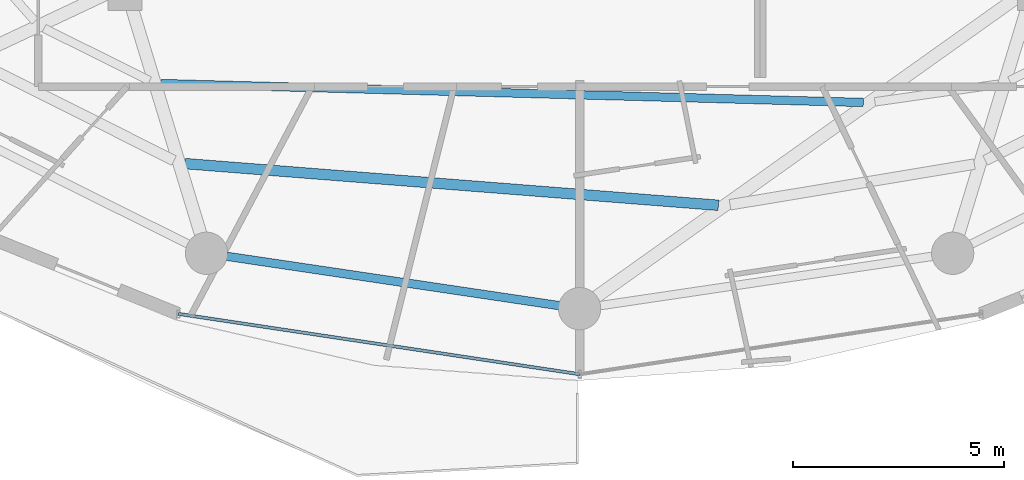
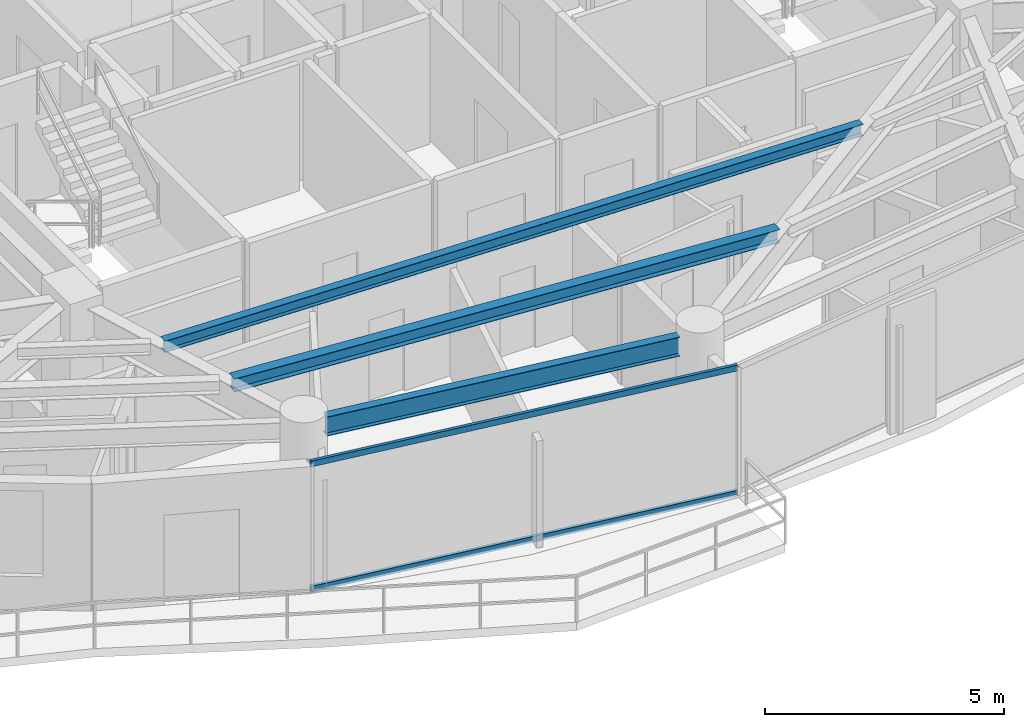
# One storey, part 4 of 28: 3 beams, 2 members, 1 element without a shape of its own.
"""IFC4 building model written with IfcOpenShell, lengths in metres."""

from ifc_helpers import new_model, si_unit, direction, frame, origin, origin_2d, place, context, subcontext, project, spatial, hollow_rectangle, i_section, extrude, material, material_profile, profile_set, type_object, element, aggregate, save


model = new_model("IFC4")

# Units and contexts
model_context = context("Model", 3, precision=1e-05, world=origin(), true_north=direction((0.0, 1.0)))
body_context = subcontext(model_context, "Body", "Model", "MODEL_VIEW")
ifc_project = project(units=[si_unit("LENGTHUNIT", "METRE"), si_unit("AREAUNIT", "SQUARE_METRE"), si_unit("VOLUMEUNIT", "CUBIC_METRE"), si_unit("PLANEANGLEUNIT", "RADIAN"), si_unit("MASSUNIT", "GRAM", prefix="KILO")], contexts=[model_context])

# Site, building, storey
site_placement = place(None, origin())
site = spatial("IfcSite", under=ifc_project, at=site_placement, CompositionType="ELEMENT")
building_placement = place(site_placement, origin())
building = spatial("IfcBuilding", under=site, at=building_placement, Name="Vorneva Point Tower", CompositionType="ELEMENT")
storey_placement = place(building_placement, frame((0.0, 0.0, 164.10009765625)))
storey = spatial("IfcBuildingStorey", under=building, at=storey_placement, Name="L44", CompositionType="ELEMENT", Elevation=164.10009765625)

# Beams
ifc_material_1 = material(Name="Steel S355", Category="steel")
ifc_material_profile_1 = material_profile(ifc_material_1, i_section(OverallWidth=0.199951171875, OverallDepth=0.291015625, WebThickness=0.008056640625, FlangeThickness=0.010986328125, at=origin_2d()), Name="30Sh1")
ifc_profile_set_1 = profile_set([ifc_material_profile_1], Name="Steel S355")
beam_type_1 = type_object("IfcBeamType", Name="BM-SEC-30Sh1", PredefinedType="BEAM", material=ifc_profile_set_1)
beam_1_placement = place(storey_placement, frame((28.0947265625, 14.12353515625, 3.094482421875), z_axis=(0.999636212652, -0.02697113929, 0.0), x_axis=(0.02697113929, 0.999636212652, 0.0)))
element("IfcBeam", 1, at=beam_1_placement, inside=storey, type_object=beam_type_1, Name="L44 Secondary Floor Beam 2.12", PredefinedType="BEAM", context=body_context, shape_type="SweptSolid", body=[
    extrude(i_section(OverallWidth=0.199951171875, OverallDepth=0.291015625, WebThickness=0.008056640625, FlangeThickness=0.010986328125, at=origin_2d()), origin(), (0.0, 0.0, 1.0), 16.619384765625),
])
ifc_material_profile_2 = material_profile(ifc_material_1, i_section(OverallWidth=0.2490234375, OverallDepth=0.333984375, WebThickness=0.008056640625, FlangeThickness=0.010986328125, at=origin_2d()), Name="35Sh1")
ifc_profile_set_2 = profile_set([ifc_material_profile_2], Name="Steel S355")
beam_type_2 = type_object("IfcBeamType", Name="BM-SEC-35Sh1", PredefinedType="BEAM", material=ifc_profile_set_2)
beam_2_placement = place(storey_placement, frame((28.668212890625, 12.22998046875, 3.072998046875), z_axis=(0.996963101117, -0.077875381295, 0.0), x_axis=(0.077875381295, 0.996963101117, 0.0)))
element("IfcBeam", 2, at=beam_2_placement, inside=storey, type_object=beam_type_2, Name="L44 Secondary Floor Beam 1.12", PredefinedType="BEAM", context=body_context, shape_type="SweptSolid", body=[
    extrude(i_section(OverallWidth=0.2490234375, OverallDepth=0.333984375, WebThickness=0.008056640625, FlangeThickness=0.010986328125, at=origin_2d()), origin(), (0.0, 0.0, 1.0), 12.65283203125),
])
ifc_material_profile_3 = material_profile(ifc_material_1, i_section(OverallWidth=0.199951171875, OverallDepth=0.491943359375, WebThickness=0.0087890625, FlangeThickness=0.011962890625, at=origin_2d()), Name="50B1")
ifc_profile_set_3 = profile_set([ifc_material_profile_3], Name="Steel S355")
beam_type_3 = type_object("IfcBeamType", Name="BM-SPN-50B1", PredefinedType="SPANDREL", material=ifc_profile_set_3)
beam_3_placement = place(storey_placement, frame((29.65869140625, 10.0380859375, 2.993896484375), z_axis=(0.989161199046, -0.146833655211, 0.0), x_axis=(0.146833655211, 0.989161199046, 0.0)))
element("IfcBeam", 3, at=beam_3_placement, inside=storey, type_object=beam_type_3, Name="L44 Perimeter Spandrel Ring Beam 12", PredefinedType="SPANDREL", context=body_context, shape_type="SweptSolid", body=[
    extrude(i_section(OverallWidth=0.199951171875, OverallDepth=0.491943359375, WebThickness=0.0087890625, FlangeThickness=0.011962890625, at=origin_2d()), origin(), (0.0, 0.0, 1.0), 7.94775390625),
])

# Curtain wall, members
ifc_material_2 = material(Name="Pale anodised aluminium", Category="aluminium")
curtain_wall_type = type_object("IfcCurtainWallType", Name="CW-RES-SYS", PredefinedType="NOTDEFINED", material=ifc_material_2)
curtain_wall_placement = place(storey_placement, origin())
curtain_wall = element("IfcCurtainWall", 4, at=curtain_wall_placement, inside=storey, type_object=curtain_wall_type, Name="L44 Unitised Curtain Wall CW-L44-R04", PredefinedType="NOTDEFINED")
ifc_material_profile_4 = material_profile(ifc_material_2, hollow_rectangle(XDim=0.074951171875, YDim=0.14990234375, WallThickness=0.00390625, at=origin_2d()), Name="AL-TRN 150x75x4")
ifc_profile_set_4 = profile_set([ifc_material_profile_4], Name="Pale anodised aluminium")
member_type = type_object("IfcMemberType", Name="CW-TRN-150", PredefinedType="USERDEFINED", material=ifc_profile_set_4)
member_1_placement = place(storey_placement, frame((28.509521484375, 8.67724609375, 0.02001953125), z_axis=(0.988880117727, -0.148714870687, 0.0), x_axis=(0.148714870687, 0.988880117727, 0.0)))
member_1 = element("IfcMember", 5, at=member_1_placement, type_object=member_type, Name="CW-L44-R04 Transom 01.1", ObjectType="TRANSOM", PredefinedType="USERDEFINED", context=body_context, shape_type="SweptSolid", body=[
    extrude(hollow_rectangle(XDim=0.074951171875, YDim=0.14990234375, WallThickness=0.00390625, at=origin_2d()), origin(), (0.0, 0.0, 1.0), 9.59716796875),
])
member_2_placement = place(storey_placement, frame((28.509521484375, 8.67724609375, 3.219970703125), z_axis=(0.988880117727, -0.148714870687, 0.0), x_axis=(0.148714870687, 0.988880117727, 0.0)))
member_2 = element("IfcMember", 6, at=member_2_placement, type_object=member_type, Name="CW-L44-R04 Transom 01.2", ObjectType="TRANSOM", PredefinedType="USERDEFINED", context=body_context, shape_type="SweptSolid", body=[
    extrude(hollow_rectangle(XDim=0.074951171875, YDim=0.14990234375, WallThickness=0.00390625, at=origin_2d()), origin(), (0.0, 0.0, 1.0), 9.59716796875),
])
aggregate(curtain_wall, [member_1, member_2])

save(model, "model.ifc")
